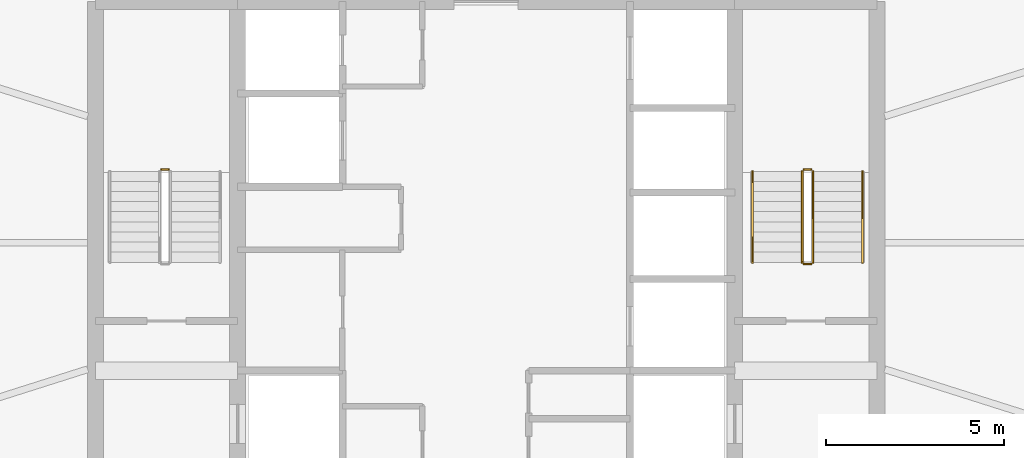
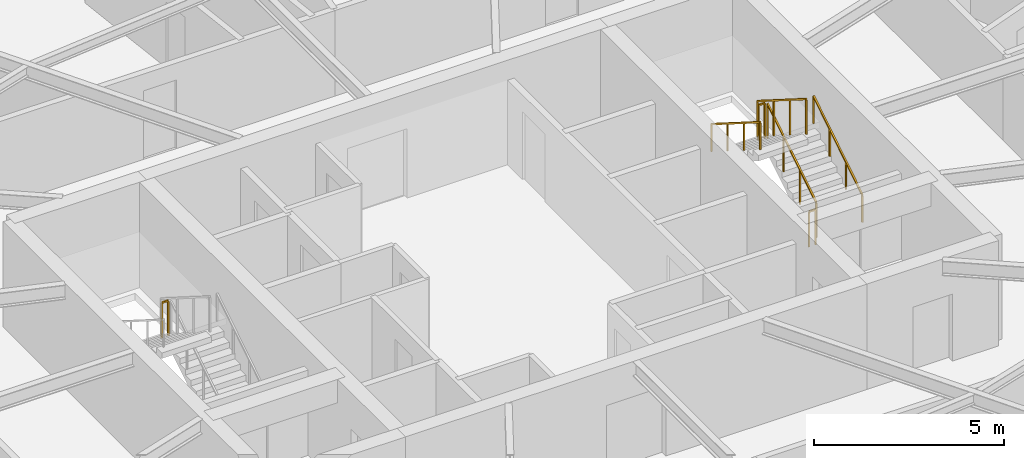
# One storey, part 27 of 27: 7 railings.
"""IFC4 building model written with IfcOpenShell, lengths in metres."""

from ifc_helpers import new_model, si_unit, direction, frame, origin, origin_2d, place, context, subcontext, project, spatial, rectangle, extrude, material, type_object, element, save


model = new_model("IFC4")

# Units and contexts
model_context = context("Model", 3, precision=1e-05, world=origin(), true_north=direction((0.0, 1.0)))
body_context = subcontext(model_context, "Body", "Model", "MODEL_VIEW")
ifc_project = project(units=[si_unit("LENGTHUNIT", "METRE"), si_unit("AREAUNIT", "SQUARE_METRE"), si_unit("VOLUMEUNIT", "CUBIC_METRE"), si_unit("PLANEANGLEUNIT", "RADIAN"), si_unit("MASSUNIT", "GRAM", prefix="KILO")], contexts=[model_context])

# Site, building, storey
site_placement = place(None, origin())
site = spatial("IfcSite", under=ifc_project, at=site_placement, CompositionType="ELEMENT")
building_placement = place(site_placement, origin())
building = spatial("IfcBuilding", under=site, at=building_placement, Name="Sarneth Arch Tower", CompositionType="ELEMENT")
storey_placement = place(building_placement, frame((0.0, 0.0, 157.800048828125)))
storey = spatial("IfcBuildingStorey", under=building, at=storey_placement, Name="L39", CompositionType="ELEMENT", Elevation=157.800048828125)

# Railings
ifc_material_1 = material(Name="Brushed Stainless Steel 304 tubular handrail", Category="steel")
railing_type_1 = type_object("IfcRailingType", Name="RAIL-HANDRAIL-900", PredefinedType="HANDRAIL", material=ifc_material_1)
railing_1_placement = place(storey_placement, frame((58.60009765625, 41.449951171875, 0.179931640625)))
element("IfcRailing", 1, at=railing_1_placement, inside=storey, type_object=railing_type_1, Name="L39 ST-2 stair handrail 1", PredefinedType="HANDRAIL", context=body_context, shape_type="SweptSolid", body=[
    extrude(rectangle(XDim=0.048095703125, YDim=0.048095703125, at=origin_2d()), frame((0.0, 0.0, 0.8759765625), z_axis=(0.0, 0.845465955043, 0.534029323973), x_axis=(-1.0, 0.0, 0.0)), (0.0, 0.0, 1.0), 3.03369140625),
    extrude(rectangle(XDim=0.0419921875, YDim=0.0419921875, at=origin_2d()), origin(), (0.0, 0.0, 1.0), 0.851806640625),
    extrude(rectangle(XDim=0.0419921875, YDim=0.0419921875, at=origin_2d()), frame((0.0, 0.85498046875, 0.5400390625)), (0.0, 0.0, 1.0), 0.851806640625),
    extrude(rectangle(XDim=0.0419921875, YDim=0.0419921875, at=origin_2d()), frame((0.0, 1.7099609375, 1.080078125)), (0.0, 0.0, 1.0), 0.851806640625),
    extrude(rectangle(XDim=0.0419921875, YDim=0.0419921875, at=origin_2d()), frame((0.0, 2.56494140625, 1.6201171875)), (0.0, 0.0, 1.0), 0.851806640625),
])
railing_2_placement = place(storey_placement, frame((55.5, 44.014892578125, 1.97998046875)))
element("IfcRailing", 2, at=railing_2_placement, inside=storey, type_object=railing_type_1, Name="L39 ST-2 stair handrail 2", PredefinedType="HANDRAIL", context=body_context, shape_type="SweptSolid", body=[
    extrude(rectangle(XDim=0.048095703125, YDim=0.048095703125, at=origin_2d()), frame((0.0, 0.0, 0.8759765625), z_axis=(0.0, -0.845502289212, 0.533971796014), x_axis=(1.0, 0.0, 0.0)), (0.0, 0.0, 1.0), 3.03369140625),
    extrude(rectangle(XDim=0.0419921875, YDim=0.0419921875, at=origin_2d()), origin(), (0.0, 0.0, 1.0), 0.851806640625),
    extrude(rectangle(XDim=0.0419921875, YDim=0.0419921875, at=origin_2d()), frame((0.0, -0.85498046875, 0.5400390625)), (0.0, 0.0, 1.0), 0.851806640625),
    extrude(rectangle(XDim=0.0419921875, YDim=0.0419921875, at=origin_2d()), frame((0.0, -1.7099609375, 1.079833984375)), (0.0, 0.0, 1.0), 0.851806640625),
    extrude(rectangle(XDim=0.0419921875, YDim=0.0419921875, at=origin_2d()), frame((0.0, -2.56494140625, 1.619873046875)), (0.0, 0.0, 1.0), 0.851806640625),
])
ifc_material_2 = material(Name="Painted Steel S275 stair well guard", Category="steel")
railing_type_2 = type_object("IfcRailingType", Name="RAIL-STAIR-GUARD", PredefinedType="GUARDRAIL", material=ifc_material_2)
railing_3_placement = place(storey_placement, frame((39.050048828125, 44.06494140625, 1.800048828125)))
element("IfcRailing", 3, at=railing_3_placement, inside=storey, type_object=railing_type_2, Name="L39 ST-1 stair guard 2", PredefinedType="GUARDRAIL", context=body_context, shape_type="SweptSolid", body=[
    extrude(rectangle(XDim=0.048095703125, YDim=0.048095703125, at=origin_2d()), frame((0.0, 0.0, 1.1259765625), z_axis=(-1.0, 0.0, 0.0), x_axis=(0.0, -1.0, 0.0)), (0.0, 0.0, 1.0), 0.199951171875),
    extrude(rectangle(XDim=0.0419921875, YDim=0.0419921875, at=origin_2d()), origin(), (0.0, 0.0, 1.0), 1.101806640625),
    extrude(rectangle(XDim=0.0419921875, YDim=0.0419921875, at=origin_2d()), frame((-0.199951171875, 0.0, 0.0)), (0.0, 0.0, 1.0), 1.101806640625),
])
railing_4_placement = place(storey_placement, frame((57.199951171875, 41.449951171875, 0.179931640625)))
element("IfcRailing", 4, at=railing_4_placement, inside=storey, type_object=railing_type_2, Name="L39 ST-2 stair guard 1", PredefinedType="GUARDRAIL", context=body_context, shape_type="SweptSolid", body=[
    extrude(rectangle(XDim=0.048095703125, YDim=0.048095703125, at=origin_2d()), frame((0.0, 0.0, 1.1259765625), z_axis=(0.0, 0.845465955043, 0.534029323973), x_axis=(-1.0, 0.0, 0.0)), (0.0, 0.0, 1.0), 3.03369140625),
    extrude(rectangle(XDim=0.0419921875, YDim=0.0419921875, at=origin_2d()), origin(), (0.0, 0.0, 1.0), 1.101806640625),
    extrude(rectangle(XDim=0.0419921875, YDim=0.0419921875, at=origin_2d()), frame((0.0, 0.85498046875, 0.5400390625)), (0.0, 0.0, 1.0), 1.101806640625),
    extrude(rectangle(XDim=0.0419921875, YDim=0.0419921875, at=origin_2d()), frame((0.0, 1.7099609375, 1.080078125)), (0.0, 0.0, 1.0), 1.101806640625),
    extrude(rectangle(XDim=0.0419921875, YDim=0.0419921875, at=origin_2d()), frame((0.0, 2.56494140625, 1.6201171875)), (0.0, 0.0, 1.0), 1.101806640625),
])
railing_5_placement = place(storey_placement, frame((57.14990234375, 44.06494140625, 1.800048828125)))
element("IfcRailing", 5, at=railing_5_placement, inside=storey, type_object=railing_type_2, Name="L39 ST-2 stair guard 2", PredefinedType="GUARDRAIL", context=body_context, shape_type="SweptSolid", body=[
    extrude(rectangle(XDim=0.048095703125, YDim=0.048095703125, at=origin_2d()), frame((0.0, 0.0, 1.1259765625), z_axis=(-1.0, 0.0, 0.0), x_axis=(0.0, -1.0, 0.0)), (0.0, 0.0, 1.0), 0.199951171875),
    extrude(rectangle(XDim=0.0419921875, YDim=0.0419921875, at=origin_2d()), origin(), (0.0, 0.0, 1.0), 1.101806640625),
    extrude(rectangle(XDim=0.0419921875, YDim=0.0419921875, at=origin_2d()), frame((-0.199951171875, 0.0, 0.0)), (0.0, 0.0, 1.0), 1.101806640625),
])
railing_6_placement = place(storey_placement, frame((56.89990234375, 44.014892578125, 1.97998046875)))
element("IfcRailing", 6, at=railing_6_placement, inside=storey, type_object=railing_type_2, Name="L39 ST-2 stair guard 3", PredefinedType="GUARDRAIL", context=body_context, shape_type="SweptSolid", body=[
    extrude(rectangle(XDim=0.048095703125, YDim=0.048095703125, at=origin_2d()), frame((0.0, 0.0, 1.1259765625), z_axis=(0.0, -0.845502289212, 0.533971796014), x_axis=(1.0, 0.0, 0.0)), (0.0, 0.0, 1.0), 3.03369140625),
    extrude(rectangle(XDim=0.0419921875, YDim=0.0419921875, at=origin_2d()), origin(), (0.0, 0.0, 1.0), 1.101806640625),
    extrude(rectangle(XDim=0.0419921875, YDim=0.0419921875, at=origin_2d()), frame((0.0, -0.85498046875, 0.5400390625)), (0.0, 0.0, 1.0), 1.101806640625),
    extrude(rectangle(XDim=0.0419921875, YDim=0.0419921875, at=origin_2d()), frame((0.0, -1.7099609375, 1.079833984375)), (0.0, 0.0, 1.0), 1.101806640625),
    extrude(rectangle(XDim=0.0419921875, YDim=0.0419921875, at=origin_2d()), frame((0.0, -2.56494140625, 1.619873046875)), (0.0, 0.0, 1.0), 1.101806640625),
])
railing_7_placement = place(storey_placement, frame((57.14990234375, 41.39990234375, 0.0)))
element("IfcRailing", 7, at=railing_7_placement, inside=storey, type_object=railing_type_2, Name="L39 ST-2 stair guard 4", PredefinedType="GUARDRAIL", context=body_context, shape_type="SweptSolid", body=[
    extrude(rectangle(XDim=0.048095703125, YDim=0.048095703125, at=origin_2d()), frame((0.0, 0.0, 1.1259765625), z_axis=(-1.0, 0.0, 0.0), x_axis=(0.0, -1.0, 0.0)), (0.0, 0.0, 1.0), 0.199951171875),
    extrude(rectangle(XDim=0.0419921875, YDim=0.0419921875, at=origin_2d()), origin(), (0.0, 0.0, 1.0), 1.101806640625),
    extrude(rectangle(XDim=0.0419921875, YDim=0.0419921875, at=origin_2d()), frame((-0.199951171875, 0.0, 0.0)), (0.0, 0.0, 1.0), 1.101806640625),
])

save(model, "model.ifc")
